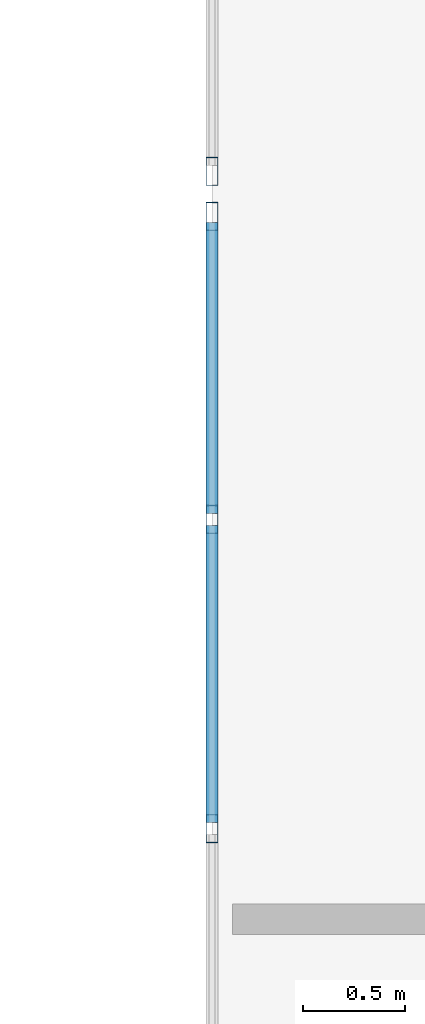
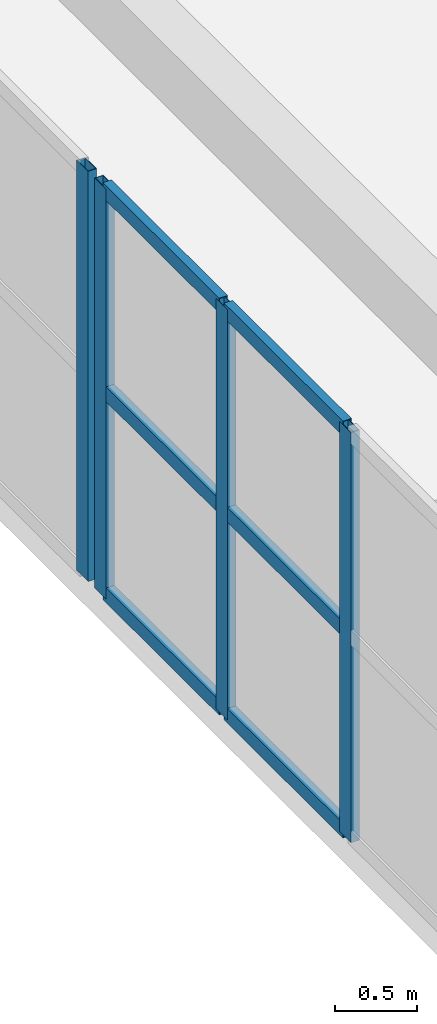
# One storey, part 79 of 200: 10 members, 2 elements without a shape of their own.
"""IFC4 building model written with IfcOpenShell, lengths in metres."""

from ifc_helpers import new_model, si_unit, direction, frame, origin, origin_2d, place, context, subcontext, project, spatial, hollow_rectangle, extrude, material, layer, layer_set, material_profile, profile_set, type_object, element, aggregate, save


model = new_model("IFC4")

# Units and contexts
model_context = context("Model", 3, precision=1e-05, world=origin(), true_north=direction((0.0, 1.0)))
body_context = subcontext(model_context, "Body", "Model", "MODEL_VIEW")
ifc_project = project(units=[si_unit("LENGTHUNIT", "METRE"), si_unit("AREAUNIT", "SQUARE_METRE"), si_unit("VOLUMEUNIT", "CUBIC_METRE"), si_unit("PLANEANGLEUNIT", "RADIAN"), si_unit("MASSUNIT", "GRAM", prefix="KILO")], contexts=[model_context])

# Site, building, storey
site_placement = place(None, origin())
site = spatial("IfcSite", under=ifc_project, at=site_placement, CompositionType="ELEMENT")
building_placement = place(site_placement, origin())
building = spatial("IfcBuilding", under=site, at=building_placement, Name="Trelvath General Hospital", CompositionType="ELEMENT")
storey_placement = place(building_placement, frame((0.0, 0.0, 4.800048828125)))
storey = spatial("IfcBuildingStorey", under=building, at=storey_placement, Name="L01", CompositionType="ELEMENT", Elevation=4.800048828125)

# Curtain wall, members
ifc_material_1 = material(Name="Anodised aluminium and low-E glass", Category="aluminium")
ifc_layer_1 = layer(ifc_material_1, 0.14990234375)
ifc_layer_set_1 = layer_set([ifc_layer_1], Name="Anodised aluminium and low-E glass")
curtain_wall_type_1 = type_object("IfcCurtainWallType", Name="CW CrystalCube 1664 306 15", PredefinedType="USERDEFINED", material=ifc_layer_set_1)
curtain_wall_1_placement = place(storey_placement, origin())
curtain_wall_1 = element("IfcCurtainWall", 1, at=curtain_wall_1_placement, inside=storey, type_object=curtain_wall_type_1, Name="Crystal Cube Curtain Wall CUBE-W-T0 W4 L01", ObjectType="Unitised Glazed Curtain Wall", PredefinedType="USERDEFINED")
ifc_material_2 = material(Name="Anodised aluminium", Category="aluminium")
ifc_material_profile_1 = material_profile(ifc_material_2, hollow_rectangle(XDim=0.06005859375, YDim=0.139892578125, WallThickness=0.00390625, at=origin_2d()), Name="RHS60x140x4")
ifc_profile_set_1 = profile_set([ifc_material_profile_1], Name="Anodised aluminium")
member_type_1 = type_object("IfcMemberType", Name="CurtainMullion 60x140", PredefinedType="MULLION", material=ifc_profile_set_1)
member_1_placement = place(storey_placement, frame((46.800048828125, 64.094482421875, 0.0), z_axis=(0.0, 0.0, 1.0), x_axis=(-1.0, 0.0, 0.0)))
member_1 = element("IfcMember", 2, at=member_1_placement, type_object=member_type_1, Name="CW-143 mullion 10", PredefinedType="MULLION", context=body_context, shape_type="SweptSolid", body=[
    extrude(hollow_rectangle(XDim=0.06005859375, YDim=0.139892578125, WallThickness=0.00390625, at=origin_2d()), origin(), (0.0, 0.0, 1.0), 3.06005859375),
])
member_2_placement = place(storey_placement, frame((46.800048828125, 65.607177734375, 0.0), z_axis=(0.0, 0.0, 1.0), x_axis=(-1.0, 0.0, 0.0)))
member_2 = element("IfcMember", 3, at=member_2_placement, type_object=member_type_1, Name="CW-143 mullion 11", PredefinedType="MULLION", context=body_context, shape_type="SweptSolid", body=[
    extrude(hollow_rectangle(XDim=0.06005859375, YDim=0.139892578125, WallThickness=0.00390625, at=origin_2d()), origin(), (0.0, 0.0, 1.0), 3.06005859375),
])
member_3_placement = place(storey_placement, frame((46.800048828125, 67.090087890625, 0.0), z_axis=(0.0, 0.0, 1.0), x_axis=(-1.0, 0.0, 0.0)))
member_3 = element("IfcMember", 4, at=member_3_placement, type_object=member_type_1, Name="CW-143 mullion 12", PredefinedType="MULLION", context=body_context, shape_type="SweptSolid", body=[
    extrude(hollow_rectangle(XDim=0.06005859375, YDim=0.139892578125, WallThickness=0.00390625, at=origin_2d()), origin(), (0.0, 0.0, 1.0), 3.06005859375),
])

# Curtain wall, member
ifc_material_3 = material(Name="Anodised aluminium and low-E glass", Category="aluminium")
ifc_layer_2 = layer(ifc_material_3, 0.14990234375)
ifc_layer_set_2 = layer_set([ifc_layer_2], Name="Anodised aluminium and low-E glass")
curtain_wall_type_2 = type_object("IfcCurtainWallType", Name="CW CrystalCube 824 306 15", PredefinedType="USERDEFINED", material=ifc_layer_set_2)
curtain_wall_2_placement = place(storey_placement, origin())
curtain_wall_2 = element("IfcCurtainWall", 5, at=curtain_wall_2_placement, inside=storey, type_object=curtain_wall_type_2, Name="Crystal Cube Curtain Wall CUBE-W-T0 W5 L01", ObjectType="Unitised Glazed Curtain Wall", PredefinedType="USERDEFINED")
member_4_placement = place(storey_placement, frame((46.800048828125, 67.31005859375, 0.0), z_axis=(0.0, 0.0, 1.0), x_axis=(-1.0, 0.0, 0.0)))
member_4 = element("IfcMember", 6, at=member_4_placement, type_object=member_type_1, Name="CW-144 mullion 1", PredefinedType="MULLION", context=body_context, shape_type="SweptSolid", body=[
    extrude(hollow_rectangle(XDim=0.06005859375, YDim=0.139892578125, WallThickness=0.00390625, at=origin_2d()), origin(), (0.0, 0.0, 1.0), 3.06005859375),
])
aggregate(curtain_wall_2, [member_4])

# Member
ifc_material_4 = material(Name="Anodised aluminium", Category="aluminium")
ifc_material_profile_2 = material_profile(ifc_material_4, hollow_rectangle(XDim=0.06005859375, YDim=0.110107421875, WallThickness=0.00390625, at=origin_2d()), Name="RHS60x110x4")
ifc_profile_set_2 = profile_set([ifc_material_profile_2], Name="Anodised aluminium")
member_type_2 = type_object("IfcMemberType", Name="CurtainTransom 60x110", PredefinedType="USERDEFINED", material=ifc_profile_set_2)
member_5_placement = place(storey_placement, frame((46.800048828125, 64.12451171875, 0.030029296875), z_axis=(0.0, 1.0, 0.0), x_axis=(-1.0, 0.0, 0.0)))
member_5 = element("IfcMember", 7, at=member_5_placement, type_object=member_type_2, Name="CW-143 transom 10.1", ObjectType="TRANSOM", PredefinedType="USERDEFINED", context=body_context, shape_type="SweptSolid", body=[
    extrude(hollow_rectangle(XDim=0.06005859375, YDim=0.110107421875, WallThickness=0.00390625, at=origin_2d()), origin(), (0.0, 0.0, 1.0), 1.452880859375),
])

member_6_placement = place(storey_placement, frame((46.800048828125, 64.12451171875, 1.530029296875), z_axis=(0.0, 1.0, 0.0), x_axis=(-1.0, 0.0, 0.0)))
member_6 = element("IfcMember", 8, at=member_6_placement, type_object=member_type_2, Name="CW-143 transom 10.2", ObjectType="TRANSOM", PredefinedType="USERDEFINED", context=body_context, shape_type="SweptSolid", body=[
    extrude(hollow_rectangle(XDim=0.06005859375, YDim=0.110107421875, WallThickness=0.00390625, at=origin_2d()), origin(), (0.0, 0.0, 1.0), 1.452880859375),
])

member_7_placement = place(storey_placement, frame((46.800048828125, 64.12451171875, 3.030029296875), z_axis=(0.0, 1.0, 0.0), x_axis=(-1.0, 0.0, 0.0)))
member_7 = element("IfcMember", 9, at=member_7_placement, type_object=member_type_2, Name="CW-143 transom 10.3", ObjectType="TRANSOM", PredefinedType="USERDEFINED", context=body_context, shape_type="SweptSolid", body=[
    extrude(hollow_rectangle(XDim=0.06005859375, YDim=0.110107421875, WallThickness=0.00390625, at=origin_2d()), origin(), (0.0, 0.0, 1.0), 1.452880859375),
])

member_8_placement = place(storey_placement, frame((46.800048828125, 65.63720703125, 0.030029296875), z_axis=(0.0, 1.0, 0.0), x_axis=(-1.0, 0.0, 0.0)))
member_8 = element("IfcMember", 10, at=member_8_placement, type_object=member_type_2, Name="CW-143 transom 11.1", ObjectType="TRANSOM", PredefinedType="USERDEFINED", context=body_context, shape_type="SweptSolid", body=[
    extrude(hollow_rectangle(XDim=0.06005859375, YDim=0.110107421875, WallThickness=0.00390625, at=origin_2d()), origin(), (0.0, 0.0, 1.0), 1.4228515625),
])

member_9_placement = place(storey_placement, frame((46.800048828125, 65.63720703125, 1.530029296875), z_axis=(0.0, 1.0, 0.0), x_axis=(-1.0, 0.0, 0.0)))
member_9 = element("IfcMember", 11, at=member_9_placement, type_object=member_type_2, Name="CW-143 transom 11.2", ObjectType="TRANSOM", PredefinedType="USERDEFINED", context=body_context, shape_type="SweptSolid", body=[
    extrude(hollow_rectangle(XDim=0.06005859375, YDim=0.110107421875, WallThickness=0.00390625, at=origin_2d()), origin(), (0.0, 0.0, 1.0), 1.4228515625),
])

member_10_placement = place(storey_placement, frame((46.800048828125, 65.63720703125, 3.030029296875), z_axis=(0.0, 1.0, 0.0), x_axis=(-1.0, 0.0, 0.0)))
member_10 = element("IfcMember", 12, at=member_10_placement, type_object=member_type_2, Name="CW-143 transom 11.3", ObjectType="TRANSOM", PredefinedType="USERDEFINED", context=body_context, shape_type="SweptSolid", body=[
    extrude(hollow_rectangle(XDim=0.06005859375, YDim=0.110107421875, WallThickness=0.00390625, at=origin_2d()), origin(), (0.0, 0.0, 1.0), 1.4228515625),
])

aggregate(curtain_wall_1, [member_1, member_2, member_3, member_5, member_6, member_7, member_8, member_9, member_10])

save(model, "model.ifc")
